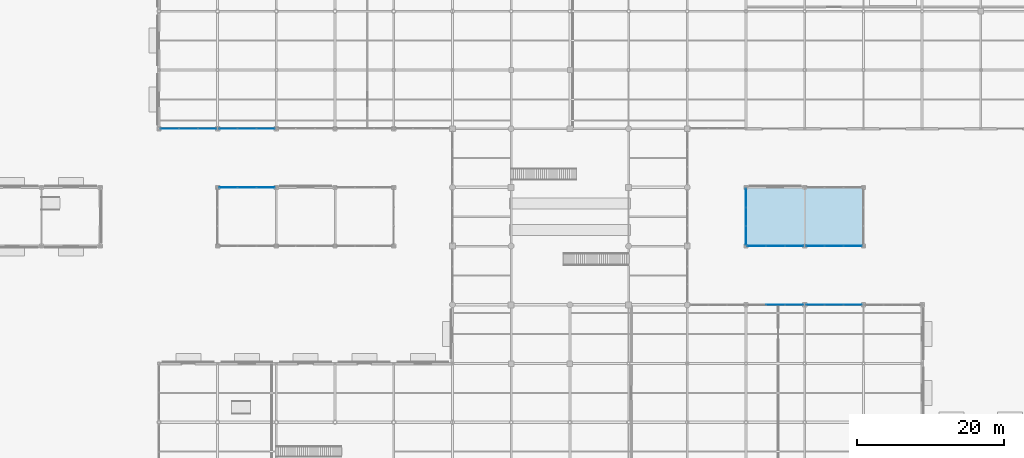
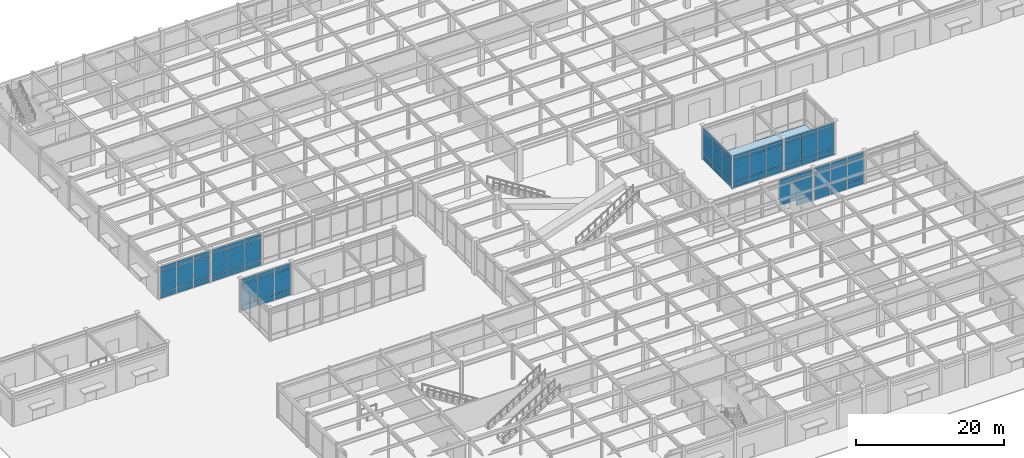
# One storey, part 96 of 128: 68 plates, 1 slab, 8 elements without a shape of their own.
"""IFC4 building model written with IfcOpenShell, lengths in metres."""

from ifc_helpers import new_model, si_unit, direction, frame, origin, origin_2d, place, context, subcontext, project, spatial, polyline, rectangle, outline, extrude, material, layer, layer_set, type_object, element, aggregate, save


model = new_model("IFC4")

# Units and contexts
model_context = context("Model", 3, precision=1e-05, world=origin(), true_north=direction((0.0, 1.0)))
body_context = subcontext(model_context, "Body", "Model", "MODEL_VIEW")
ifc_project = project(units=[si_unit("LENGTHUNIT", "METRE"), si_unit("AREAUNIT", "SQUARE_METRE"), si_unit("VOLUMEUNIT", "CUBIC_METRE"), si_unit("PLANEANGLEUNIT", "RADIAN"), si_unit("MASSUNIT", "GRAM", prefix="KILO")], contexts=[model_context])

# Site, building, storey
site_placement = place(None, origin())
site = spatial("IfcSite", under=ifc_project, at=site_placement, CompositionType="ELEMENT")
building_placement = place(site_placement, origin())
building = spatial("IfcBuilding", under=site, at=building_placement, Name="Solmirada Galleria", CompositionType="ELEMENT")
storey_placement = place(building_placement, origin())
storey = spatial("IfcBuildingStorey", under=building, at=storey_placement, Name="L00", CompositionType="ELEMENT", Elevation=0.0)

# Curtain wall, plates
ifc_material_1 = material(Name="Impact-resistant low-E double glazing", Category="glass")
curtain_wall_type_1 = type_object("IfcCurtainWallType", Name="CW-FZ4-L00-B3-L077", PredefinedType="NOTDEFINED", material=ifc_material_1)
curtain_wall_1_placement = place(storey_placement, origin())
curtain_wall_1 = element("IfcCurtainWall", 1, at=curtain_wall_1_placement, inside=storey, type_object=curtain_wall_type_1, Name="Terrace and arcade storefront CW-L00-007", PredefinedType="NOTDEFINED")
ifc_layer_1 = layer(ifc_material_1, 0.02392578125)
ifc_layer_set_1 = layer_set([ifc_layer_1], Name="Impact-resistant low-E double glazing")
plate_type_1 = type_object("IfcPlateType", Name="CW-PNL-CW03-T24", PredefinedType="CURTAIN_PANEL", material=ifc_layer_set_1)
plate_1_placement = place(storey_placement, frame((54.563232421875, 72.0, 0.06494140625), z_axis=(0.0, 0.0, 1.0), x_axis=(-1.0, 0.0, 0.0)))
plate_1 = element("IfcPlate", 2, at=plate_1_placement, type_object=plate_type_1, Name="CW03 panel 1.1", PredefinedType="CURTAIN_PANEL", context=body_context, shape_type="SweptSolid", body=[
    extrude(rectangle(XDim=2.4755859375, YDim=0.02392578125, at=origin_2d()), origin(), (0.0, 0.0, 1.0), 0.842529296875),
])
plate_2_placement = place(storey_placement, frame((54.563232421875, 72.0, 0.97265625), z_axis=(0.0, 0.0, 1.0), x_axis=(-1.0, 0.0, 0.0)))
plate_2 = element("IfcPlate", 3, at=plate_2_placement, type_object=plate_type_1, Name="CW03 panel 1.2", PredefinedType="CURTAIN_PANEL", context=body_context, shape_type="SweptSolid", body=[
    extrude(rectangle(XDim=2.4755859375, YDim=0.02392578125, at=origin_2d()), origin(), (0.0, 0.0, 1.0), 3.5048828125),
])
plate_3_placement = place(storey_placement, frame((54.563232421875, 72.0, 4.54248046875), z_axis=(0.0, 0.0, 1.0), x_axis=(-1.0, 0.0, 0.0)))
plate_3 = element("IfcPlate", 4, at=plate_3_placement, type_object=plate_type_1, Name="CW03 panel 1.3", PredefinedType="CURTAIN_PANEL", context=body_context, shape_type="SweptSolid", body=[
    extrude(rectangle(XDim=2.4755859375, YDim=0.02392578125, at=origin_2d()), origin(), (0.0, 0.0, 1.0), 0.71240234375),
])
plate_4_placement = place(storey_placement, frame((52.0, 72.0, 0.06494140625), z_axis=(0.0, 0.0, 1.0), x_axis=(-1.0, 0.0, 0.0)))
plate_4 = element("IfcPlate", 5, at=plate_4_placement, type_object=plate_type_1, Name="CW03 panel 2.1", PredefinedType="CURTAIN_PANEL", context=body_context, shape_type="SweptSolid", body=[
    extrude(rectangle(XDim=2.5107421875, YDim=0.02392578125, at=origin_2d()), origin(), (0.0, 0.0, 1.0), 0.842529296875),
])
plate_5_placement = place(storey_placement, frame((52.0, 72.0, 0.97265625), z_axis=(0.0, 0.0, 1.0), x_axis=(-1.0, 0.0, 0.0)))
plate_5 = element("IfcPlate", 6, at=plate_5_placement, type_object=plate_type_1, Name="CW03 panel 2.2", PredefinedType="CURTAIN_PANEL", context=body_context, shape_type="SweptSolid", body=[
    extrude(rectangle(XDim=2.5107421875, YDim=0.02392578125, at=origin_2d()), origin(), (0.0, 0.0, 1.0), 3.5048828125),
])
plate_6_placement = place(storey_placement, frame((52.0, 72.0, 4.54248046875), z_axis=(0.0, 0.0, 1.0), x_axis=(-1.0, 0.0, 0.0)))
plate_6 = element("IfcPlate", 7, at=plate_6_placement, type_object=plate_type_1, Name="CW03 panel 2.3", PredefinedType="CURTAIN_PANEL", context=body_context, shape_type="SweptSolid", body=[
    extrude(rectangle(XDim=2.5107421875, YDim=0.02392578125, at=origin_2d()), origin(), (0.0, 0.0, 1.0), 0.71240234375),
])
plate_7_placement = place(storey_placement, frame((49.436767578125, 72.0, 0.06494140625), z_axis=(0.0, 0.0, 1.0), x_axis=(-1.0, 0.0, 0.0)))
plate_7 = element("IfcPlate", 8, at=plate_7_placement, type_object=plate_type_1, Name="CW03 panel 3.1", PredefinedType="CURTAIN_PANEL", context=body_context, shape_type="SweptSolid", body=[
    extrude(rectangle(XDim=2.4755859375, YDim=0.02392578125, at=origin_2d()), origin(), (0.0, 0.0, 1.0), 0.842529296875),
])
plate_8_placement = place(storey_placement, frame((49.436767578125, 72.0, 0.97265625), z_axis=(0.0, 0.0, 1.0), x_axis=(-1.0, 0.0, 0.0)))
plate_8 = element("IfcPlate", 9, at=plate_8_placement, type_object=plate_type_1, Name="CW03 panel 3.2", PredefinedType="CURTAIN_PANEL", context=body_context, shape_type="SweptSolid", body=[
    extrude(rectangle(XDim=2.4755859375, YDim=0.02392578125, at=origin_2d()), origin(), (0.0, 0.0, 1.0), 3.5048828125),
])
plate_9_placement = place(storey_placement, frame((49.436767578125, 72.0, 4.54248046875), z_axis=(0.0, 0.0, 1.0), x_axis=(-1.0, 0.0, 0.0)))
plate_9 = element("IfcPlate", 10, at=plate_9_placement, type_object=plate_type_1, Name="CW03 panel 3.3", PredefinedType="CURTAIN_PANEL", context=body_context, shape_type="SweptSolid", body=[
    extrude(rectangle(XDim=2.4755859375, YDim=0.02392578125, at=origin_2d()), origin(), (0.0, 0.0, 1.0), 0.71240234375),
])
aggregate(curtain_wall_1, [plate_1, plate_2, plate_3, plate_4, plate_5, plate_6, plate_7, plate_8, plate_9])

curtain_wall_2_placement = place(storey_placement, origin())
curtain_wall_2 = element("IfcCurtainWall", 11, at=curtain_wall_2_placement, inside=storey, type_object=curtain_wall_type_1, Name="Terrace and arcade storefront CW-L00-008", PredefinedType="NOTDEFINED")
plate_10_placement = place(storey_placement, frame((46.5673828125, 72.0, 0.06494140625), z_axis=(0.0, 0.0, 1.0), x_axis=(-1.0, 0.0, 0.0)))
plate_10 = element("IfcPlate", 12, at=plate_10_placement, type_object=plate_type_1, Name="CW03 panel 1.1", PredefinedType="CURTAIN_PANEL", context=body_context, shape_type="SweptSolid", body=[
    extrude(rectangle(XDim=2.46728515625, YDim=0.02392578125, at=origin_2d()), origin(), (0.0, 0.0, 1.0), 0.842529296875),
])
plate_11_placement = place(storey_placement, frame((46.5673828125, 72.0, 0.97265625), z_axis=(0.0, 0.0, 1.0), x_axis=(-1.0, 0.0, 0.0)))
plate_11 = element("IfcPlate", 13, at=plate_11_placement, type_object=plate_type_1, Name="CW03 panel 1.2", PredefinedType="CURTAIN_PANEL", context=body_context, shape_type="SweptSolid", body=[
    extrude(rectangle(XDim=2.46728515625, YDim=0.02392578125, at=origin_2d()), origin(), (0.0, 0.0, 1.0), 3.5048828125),
])
plate_12_placement = place(storey_placement, frame((46.5673828125, 72.0, 4.54248046875), z_axis=(0.0, 0.0, 1.0), x_axis=(-1.0, 0.0, 0.0)))
plate_12 = element("IfcPlate", 14, at=plate_12_placement, type_object=plate_type_1, Name="CW03 panel 1.3", PredefinedType="CURTAIN_PANEL", context=body_context, shape_type="SweptSolid", body=[
    extrude(rectangle(XDim=2.46728515625, YDim=0.02392578125, at=origin_2d()), origin(), (0.0, 0.0, 1.0), 0.71240234375),
])
plate_13_placement = place(storey_placement, frame((44.0126953125, 72.0, 0.06494140625), z_axis=(0.0, 0.0, 1.0), x_axis=(-1.0, 0.0, 0.0)))
plate_13 = element("IfcPlate", 15, at=plate_13_placement, type_object=plate_type_1, Name="CW03 panel 2.1", PredefinedType="CURTAIN_PANEL", context=body_context, shape_type="SweptSolid", body=[
    extrude(rectangle(XDim=2.502197265625, YDim=0.02392578125, at=origin_2d()), origin(), (0.0, 0.0, 1.0), 0.842529296875),
])
plate_14_placement = place(storey_placement, frame((44.0126953125, 72.0, 0.97265625), z_axis=(0.0, 0.0, 1.0), x_axis=(-1.0, 0.0, 0.0)))
plate_14 = element("IfcPlate", 16, at=plate_14_placement, type_object=plate_type_1, Name="CW03 panel 2.2", PredefinedType="CURTAIN_PANEL", context=body_context, shape_type="SweptSolid", body=[
    extrude(rectangle(XDim=2.502197265625, YDim=0.02392578125, at=origin_2d()), origin(), (0.0, 0.0, 1.0), 3.5048828125),
])
plate_15_placement = place(storey_placement, frame((44.0126953125, 72.0, 4.54248046875), z_axis=(0.0, 0.0, 1.0), x_axis=(-1.0, 0.0, 0.0)))
plate_15 = element("IfcPlate", 17, at=plate_15_placement, type_object=plate_type_1, Name="CW03 panel 2.3", PredefinedType="CURTAIN_PANEL", context=body_context, shape_type="SweptSolid", body=[
    extrude(rectangle(XDim=2.502197265625, YDim=0.02392578125, at=origin_2d()), origin(), (0.0, 0.0, 1.0), 0.71240234375),
])
plate_16_placement = place(storey_placement, frame((41.4580078125, 72.0, 0.06494140625), z_axis=(0.0, 0.0, 1.0), x_axis=(-1.0, 0.0, 0.0)))
plate_16 = element("IfcPlate", 18, at=plate_16_placement, type_object=plate_type_1, Name="CW03 panel 3.1", PredefinedType="CURTAIN_PANEL", context=body_context, shape_type="SweptSolid", body=[
    extrude(rectangle(XDim=2.46728515625, YDim=0.02392578125, at=origin_2d()), origin(), (0.0, 0.0, 1.0), 0.842529296875),
])
plate_17_placement = place(storey_placement, frame((41.4580078125, 72.0, 0.97265625), z_axis=(0.0, 0.0, 1.0), x_axis=(-1.0, 0.0, 0.0)))
plate_17 = element("IfcPlate", 19, at=plate_17_placement, type_object=plate_type_1, Name="CW03 panel 3.2", PredefinedType="CURTAIN_PANEL", context=body_context, shape_type="SweptSolid", body=[
    extrude(rectangle(XDim=2.46728515625, YDim=0.02392578125, at=origin_2d()), origin(), (0.0, 0.0, 1.0), 3.5048828125),
])
plate_18_placement = place(storey_placement, frame((41.4580078125, 72.0, 4.54248046875), z_axis=(0.0, 0.0, 1.0), x_axis=(-1.0, 0.0, 0.0)))
plate_18 = element("IfcPlate", 20, at=plate_18_placement, type_object=plate_type_1, Name="CW03 panel 3.3", PredefinedType="CURTAIN_PANEL", context=body_context, shape_type="SweptSolid", body=[
    extrude(rectangle(XDim=2.46728515625, YDim=0.02392578125, at=origin_2d()), origin(), (0.0, 0.0, 1.0), 0.71240234375),
])
aggregate(curtain_wall_2, [plate_10, plate_11, plate_12, plate_13, plate_14, plate_15, plate_16, plate_17, plate_18])

curtain_wall_type_2 = type_object("IfcCurtainWallType", Name="CW-FZ5-L00-B3-L077", PredefinedType="NOTDEFINED", material=ifc_material_1)
curtain_wall_3_placement = place(storey_placement, origin())
curtain_wall_3 = element("IfcCurtainWall", 21, at=curtain_wall_3_placement, inside=storey, type_object=curtain_wall_type_2, Name="Terrace and arcade storefront CW-L00-020", PredefinedType="NOTDEFINED")
ifc_layer_2 = layer(ifc_material_1, 0.048095703125)
ifc_layer_set_2 = layer_set([ifc_layer_2], Name="Impact-resistant low-E double glazing")
plate_type_2 = type_object("IfcPlateType", Name="CW-PNL-CW08-T48", PredefinedType="CURTAIN_PANEL", material=ifc_layer_set_2)
plate_19_placement = place(storey_placement, frame((124.0, 48.0, 1.032470703125), z_axis=(0.0, 0.0, 1.0), x_axis=(1.0, 0.0, 0.0)))
plate_19 = element("IfcPlate", 22, at=plate_19_placement, type_object=plate_type_2, Name="CW08 panel 2.2", PredefinedType="CURTAIN_PANEL", context=body_context, shape_type="SweptSolid", body=[
    extrude(rectangle(XDim=2.5107421875, YDim=0.048095703125, at=origin_2d()), origin(), (0.0, 0.0, 1.0), 3.39501953125),
])
plate_20_placement = place(storey_placement, frame((124.0, 48.0, 4.49267578125), z_axis=(0.0, 0.0, 1.0), x_axis=(1.0, 0.0, 0.0)))
plate_20 = element("IfcPlate", 23, at=plate_20_placement, type_object=plate_type_2, Name="CW08 panel 2.3", PredefinedType="CURTAIN_PANEL", context=body_context, shape_type="SweptSolid", body=[
    extrude(rectangle(XDim=2.5107421875, YDim=0.048095703125, at=origin_2d()), origin(), (0.0, 0.0, 1.0), 0.762451171875),
])
plate_21_placement = place(storey_placement, frame((126.563232421875, 48.0, 0.06494140625), z_axis=(0.0, 0.0, 1.0), x_axis=(1.0, 0.0, 0.0)))
plate_21 = element("IfcPlate", 24, at=plate_21_placement, type_object=plate_type_2, Name="CW08 panel 3.1", PredefinedType="CURTAIN_PANEL", context=body_context, shape_type="SweptSolid", body=[
    extrude(rectangle(XDim=2.4755859375, YDim=0.048095703125, at=origin_2d()), origin(), (0.0, 0.0, 1.0), 0.902587890625),
])
plate_22_placement = place(storey_placement, frame((126.563232421875, 48.0, 1.032470703125), z_axis=(0.0, 0.0, 1.0), x_axis=(1.0, 0.0, 0.0)))
plate_22 = element("IfcPlate", 25, at=plate_22_placement, type_object=plate_type_2, Name="CW08 panel 3.2", PredefinedType="CURTAIN_PANEL", context=body_context, shape_type="SweptSolid", body=[
    extrude(rectangle(XDim=2.4755859375, YDim=0.048095703125, at=origin_2d()), origin(), (0.0, 0.0, 1.0), 3.39501953125),
])
plate_23_placement = place(storey_placement, frame((126.563232421875, 48.0, 4.49267578125), z_axis=(0.0, 0.0, 1.0), x_axis=(1.0, 0.0, 0.0)))
plate_23 = element("IfcPlate", 26, at=plate_23_placement, type_object=plate_type_2, Name="CW08 panel 3.3", PredefinedType="CURTAIN_PANEL", context=body_context, shape_type="SweptSolid", body=[
    extrude(rectangle(XDim=2.4755859375, YDim=0.048095703125, at=origin_2d()), origin(), (0.0, 0.0, 1.0), 0.762451171875),
])
aggregate(curtain_wall_3, [plate_19, plate_20, plate_21, plate_22, plate_23])

curtain_wall_4_placement = place(storey_placement, origin())
curtain_wall_4 = element("IfcCurtainWall", 27, at=curtain_wall_4_placement, inside=storey, type_object=curtain_wall_type_2, Name="Terrace and arcade storefront CW-L00-021", PredefinedType="NOTDEFINED")
plate_24_placement = place(storey_placement, frame((129.436767578125, 48.0, 0.06494140625), z_axis=(0.0, 0.0, 1.0), x_axis=(1.0, 0.0, 0.0)))
plate_24 = element("IfcPlate", 28, at=plate_24_placement, type_object=plate_type_2, Name="CW08 panel 1.1", PredefinedType="CURTAIN_PANEL", context=body_context, shape_type="SweptSolid", body=[
    extrude(rectangle(XDim=2.4755859375, YDim=0.048095703125, at=origin_2d()), origin(), (0.0, 0.0, 1.0), 0.902587890625),
])
plate_25_placement = place(storey_placement, frame((129.436767578125, 48.0, 1.032470703125), z_axis=(0.0, 0.0, 1.0), x_axis=(1.0, 0.0, 0.0)))
plate_25 = element("IfcPlate", 29, at=plate_25_placement, type_object=plate_type_2, Name="CW08 panel 1.2", PredefinedType="CURTAIN_PANEL", context=body_context, shape_type="SweptSolid", body=[
    extrude(rectangle(XDim=2.4755859375, YDim=0.048095703125, at=origin_2d()), origin(), (0.0, 0.0, 1.0), 3.39501953125),
])
plate_26_placement = place(storey_placement, frame((129.436767578125, 48.0, 4.49267578125), z_axis=(0.0, 0.0, 1.0), x_axis=(1.0, 0.0, 0.0)))
plate_26 = element("IfcPlate", 30, at=plate_26_placement, type_object=plate_type_2, Name="CW08 panel 1.3", PredefinedType="CURTAIN_PANEL", context=body_context, shape_type="SweptSolid", body=[
    extrude(rectangle(XDim=2.4755859375, YDim=0.048095703125, at=origin_2d()), origin(), (0.0, 0.0, 1.0), 0.762451171875),
])
plate_27_placement = place(storey_placement, frame((132.0, 48.0, 0.06494140625), z_axis=(0.0, 0.0, 1.0), x_axis=(1.0, 0.0, 0.0)))
plate_27 = element("IfcPlate", 31, at=plate_27_placement, type_object=plate_type_2, Name="CW08 panel 2.1", PredefinedType="CURTAIN_PANEL", context=body_context, shape_type="SweptSolid", body=[
    extrude(rectangle(XDim=2.5107421875, YDim=0.048095703125, at=origin_2d()), origin(), (0.0, 0.0, 1.0), 0.902587890625),
])
plate_28_placement = place(storey_placement, frame((132.0, 48.0, 1.032470703125), z_axis=(0.0, 0.0, 1.0), x_axis=(1.0, 0.0, 0.0)))
plate_28 = element("IfcPlate", 32, at=plate_28_placement, type_object=plate_type_2, Name="CW08 panel 2.2", PredefinedType="CURTAIN_PANEL", context=body_context, shape_type="SweptSolid", body=[
    extrude(rectangle(XDim=2.5107421875, YDim=0.048095703125, at=origin_2d()), origin(), (0.0, 0.0, 1.0), 3.39501953125),
])
plate_29_placement = place(storey_placement, frame((132.0, 48.0, 4.49267578125), z_axis=(0.0, 0.0, 1.0), x_axis=(1.0, 0.0, 0.0)))
plate_29 = element("IfcPlate", 33, at=plate_29_placement, type_object=plate_type_2, Name="CW08 panel 2.3", PredefinedType="CURTAIN_PANEL", context=body_context, shape_type="SweptSolid", body=[
    extrude(rectangle(XDim=2.5107421875, YDim=0.048095703125, at=origin_2d()), origin(), (0.0, 0.0, 1.0), 0.762451171875),
])
plate_30_placement = place(storey_placement, frame((134.563232421875, 48.0, 0.06494140625), z_axis=(0.0, 0.0, 1.0), x_axis=(1.0, 0.0, 0.0)))
plate_30 = element("IfcPlate", 34, at=plate_30_placement, type_object=plate_type_2, Name="CW08 panel 3.1", PredefinedType="CURTAIN_PANEL", context=body_context, shape_type="SweptSolid", body=[
    extrude(rectangle(XDim=2.4755859375, YDim=0.048095703125, at=origin_2d()), origin(), (0.0, 0.0, 1.0), 0.902587890625),
])
plate_31_placement = place(storey_placement, frame((134.563232421875, 48.0, 1.032470703125), z_axis=(0.0, 0.0, 1.0), x_axis=(1.0, 0.0, 0.0)))
plate_31 = element("IfcPlate", 35, at=plate_31_placement, type_object=plate_type_2, Name="CW08 panel 3.2", PredefinedType="CURTAIN_PANEL", context=body_context, shape_type="SweptSolid", body=[
    extrude(rectangle(XDim=2.4755859375, YDim=0.048095703125, at=origin_2d()), origin(), (0.0, 0.0, 1.0), 3.39501953125),
])
plate_32_placement = place(storey_placement, frame((134.563232421875, 48.0, 4.49267578125), z_axis=(0.0, 0.0, 1.0), x_axis=(1.0, 0.0, 0.0)))
plate_32 = element("IfcPlate", 36, at=plate_32_placement, type_object=plate_type_2, Name="CW08 panel 3.3", PredefinedType="CURTAIN_PANEL", context=body_context, shape_type="SweptSolid", body=[
    extrude(rectangle(XDim=2.4755859375, YDim=0.048095703125, at=origin_2d()), origin(), (0.0, 0.0, 1.0), 0.762451171875),
])
aggregate(curtain_wall_4, [plate_24, plate_25, plate_26, plate_27, plate_28, plate_29, plate_30, plate_31, plate_32])

curtain_wall_5_placement = place(storey_placement, origin())
curtain_wall_5 = element("IfcCurtainWall", 37, at=curtain_wall_5_placement, inside=storey, type_object=curtain_wall_type_2, Name="Terrace and arcade storefront CW-L00-036", PredefinedType="NOTDEFINED")
plate_33_placement = place(storey_placement, frame((49.436767578125, 64.0, 0.06494140625), z_axis=(0.0, 0.0, 1.0), x_axis=(1.0, 0.0, 0.0)))
plate_33 = element("IfcPlate", 38, at=plate_33_placement, type_object=plate_type_2, Name="CW08 panel 1.1", PredefinedType="CURTAIN_PANEL", context=body_context, shape_type="SweptSolid", body=[
    extrude(rectangle(XDim=2.4755859375, YDim=0.048095703125, at=origin_2d()), origin(), (0.0, 0.0, 1.0), 0.902587890625),
])
plate_34_placement = place(storey_placement, frame((49.436767578125, 64.0, 1.032470703125), z_axis=(0.0, 0.0, 1.0), x_axis=(1.0, 0.0, 0.0)))
plate_34 = element("IfcPlate", 39, at=plate_34_placement, type_object=plate_type_2, Name="CW08 panel 1.2", PredefinedType="CURTAIN_PANEL", context=body_context, shape_type="SweptSolid", body=[
    extrude(rectangle(XDim=2.4755859375, YDim=0.048095703125, at=origin_2d()), origin(), (0.0, 0.0, 1.0), 3.39501953125),
])
plate_35_placement = place(storey_placement, frame((49.436767578125, 64.0, 4.49267578125), z_axis=(0.0, 0.0, 1.0), x_axis=(1.0, 0.0, 0.0)))
plate_35 = element("IfcPlate", 40, at=plate_35_placement, type_object=plate_type_2, Name="CW08 panel 1.3", PredefinedType="CURTAIN_PANEL", context=body_context, shape_type="SweptSolid", body=[
    extrude(rectangle(XDim=2.4755859375, YDim=0.048095703125, at=origin_2d()), origin(), (0.0, 0.0, 1.0), 0.762451171875),
])
plate_36_placement = place(storey_placement, frame((52.0, 64.0, 0.06494140625), z_axis=(0.0, 0.0, 1.0), x_axis=(1.0, 0.0, 0.0)))
plate_36 = element("IfcPlate", 41, at=plate_36_placement, type_object=plate_type_2, Name="CW08 panel 2.1", PredefinedType="CURTAIN_PANEL", context=body_context, shape_type="SweptSolid", body=[
    extrude(rectangle(XDim=2.5107421875, YDim=0.048095703125, at=origin_2d()), origin(), (0.0, 0.0, 1.0), 0.902587890625),
])
plate_37_placement = place(storey_placement, frame((52.0, 64.0, 1.032470703125), z_axis=(0.0, 0.0, 1.0), x_axis=(1.0, 0.0, 0.0)))
plate_37 = element("IfcPlate", 42, at=plate_37_placement, type_object=plate_type_2, Name="CW08 panel 2.2", PredefinedType="CURTAIN_PANEL", context=body_context, shape_type="SweptSolid", body=[
    extrude(rectangle(XDim=2.5107421875, YDim=0.048095703125, at=origin_2d()), origin(), (0.0, 0.0, 1.0), 3.39501953125),
])
plate_38_placement = place(storey_placement, frame((52.0, 64.0, 4.49267578125), z_axis=(0.0, 0.0, 1.0), x_axis=(1.0, 0.0, 0.0)))
plate_38 = element("IfcPlate", 43, at=plate_38_placement, type_object=plate_type_2, Name="CW08 panel 2.3", PredefinedType="CURTAIN_PANEL", context=body_context, shape_type="SweptSolid", body=[
    extrude(rectangle(XDim=2.5107421875, YDim=0.048095703125, at=origin_2d()), origin(), (0.0, 0.0, 1.0), 0.762451171875),
])
plate_39_placement = place(storey_placement, frame((54.563232421875, 64.0, 0.06494140625), z_axis=(0.0, 0.0, 1.0), x_axis=(1.0, 0.0, 0.0)))
plate_39 = element("IfcPlate", 44, at=plate_39_placement, type_object=plate_type_2, Name="CW08 panel 3.1", PredefinedType="CURTAIN_PANEL", context=body_context, shape_type="SweptSolid", body=[
    extrude(rectangle(XDim=2.4755859375, YDim=0.048095703125, at=origin_2d()), origin(), (0.0, 0.0, 1.0), 0.902587890625),
])
plate_40_placement = place(storey_placement, frame((54.563232421875, 64.0, 1.032470703125), z_axis=(0.0, 0.0, 1.0), x_axis=(1.0, 0.0, 0.0)))
plate_40 = element("IfcPlate", 45, at=plate_40_placement, type_object=plate_type_2, Name="CW08 panel 3.2", PredefinedType="CURTAIN_PANEL", context=body_context, shape_type="SweptSolid", body=[
    extrude(rectangle(XDim=2.4755859375, YDim=0.048095703125, at=origin_2d()), origin(), (0.0, 0.0, 1.0), 3.39501953125),
])
plate_41_placement = place(storey_placement, frame((54.563232421875, 64.0, 4.49267578125), z_axis=(0.0, 0.0, 1.0), x_axis=(1.0, 0.0, 0.0)))
plate_41 = element("IfcPlate", 46, at=plate_41_placement, type_object=plate_type_2, Name="CW08 panel 3.3", PredefinedType="CURTAIN_PANEL", context=body_context, shape_type="SweptSolid", body=[
    extrude(rectangle(XDim=2.4755859375, YDim=0.048095703125, at=origin_2d()), origin(), (0.0, 0.0, 1.0), 0.762451171875),
])
aggregate(curtain_wall_5, [plate_33, plate_34, plate_35, plate_36, plate_37, plate_38, plate_39, plate_40, plate_41])

curtain_wall_6_placement = place(storey_placement, origin())
curtain_wall_6 = element("IfcCurtainWall", 47, at=curtain_wall_6_placement, inside=storey, type_object=curtain_wall_type_2, Name="Terrace and arcade storefront CW-L00-038", PredefinedType="NOTDEFINED")
plate_42_placement = place(storey_placement, frame((134.563232421875, 56.0, 0.06494140625), z_axis=(0.0, 0.0, 1.0), x_axis=(-1.0, 0.0, 0.0)))
plate_42 = element("IfcPlate", 48, at=plate_42_placement, type_object=plate_type_2, Name="CW08 panel 1.1", PredefinedType="CURTAIN_PANEL", context=body_context, shape_type="SweptSolid", body=[
    extrude(rectangle(XDim=2.4755859375, YDim=0.048095703125, at=origin_2d()), origin(), (0.0, 0.0, 1.0), 0.902587890625),
])
plate_43_placement = place(storey_placement, frame((134.563232421875, 56.0, 1.032470703125), z_axis=(0.0, 0.0, 1.0), x_axis=(-1.0, 0.0, 0.0)))
plate_43 = element("IfcPlate", 49, at=plate_43_placement, type_object=plate_type_2, Name="CW08 panel 1.2", PredefinedType="CURTAIN_PANEL", context=body_context, shape_type="SweptSolid", body=[
    extrude(rectangle(XDim=2.4755859375, YDim=0.048095703125, at=origin_2d()), origin(), (0.0, 0.0, 1.0), 3.39501953125),
])
plate_44_placement = place(storey_placement, frame((134.563232421875, 56.0, 4.49267578125), z_axis=(0.0, 0.0, 1.0), x_axis=(-1.0, 0.0, 0.0)))
plate_44 = element("IfcPlate", 50, at=plate_44_placement, type_object=plate_type_2, Name="CW08 panel 1.3", PredefinedType="CURTAIN_PANEL", context=body_context, shape_type="SweptSolid", body=[
    extrude(rectangle(XDim=2.4755859375, YDim=0.048095703125, at=origin_2d()), origin(), (0.0, 0.0, 1.0), 0.762451171875),
])
plate_45_placement = place(storey_placement, frame((132.0, 56.0, 0.06494140625), z_axis=(0.0, 0.0, 1.0), x_axis=(-1.0, 0.0, 0.0)))
plate_45 = element("IfcPlate", 51, at=plate_45_placement, type_object=plate_type_2, Name="CW08 panel 2.1", PredefinedType="CURTAIN_PANEL", context=body_context, shape_type="SweptSolid", body=[
    extrude(rectangle(XDim=2.5107421875, YDim=0.048095703125, at=origin_2d()), origin(), (0.0, 0.0, 1.0), 0.902587890625),
])
plate_46_placement = place(storey_placement, frame((132.0, 56.0, 1.032470703125), z_axis=(0.0, 0.0, 1.0), x_axis=(-1.0, 0.0, 0.0)))
plate_46 = element("IfcPlate", 52, at=plate_46_placement, type_object=plate_type_2, Name="CW08 panel 2.2", PredefinedType="CURTAIN_PANEL", context=body_context, shape_type="SweptSolid", body=[
    extrude(rectangle(XDim=2.5107421875, YDim=0.048095703125, at=origin_2d()), origin(), (0.0, 0.0, 1.0), 3.39501953125),
])
plate_47_placement = place(storey_placement, frame((132.0, 56.0, 4.49267578125), z_axis=(0.0, 0.0, 1.0), x_axis=(-1.0, 0.0, 0.0)))
plate_47 = element("IfcPlate", 53, at=plate_47_placement, type_object=plate_type_2, Name="CW08 panel 2.3", PredefinedType="CURTAIN_PANEL", context=body_context, shape_type="SweptSolid", body=[
    extrude(rectangle(XDim=2.5107421875, YDim=0.048095703125, at=origin_2d()), origin(), (0.0, 0.0, 1.0), 0.762451171875),
])
plate_48_placement = place(storey_placement, frame((129.436767578125, 56.0, 0.06494140625), z_axis=(0.0, 0.0, 1.0), x_axis=(-1.0, 0.0, 0.0)))
plate_48 = element("IfcPlate", 54, at=plate_48_placement, type_object=plate_type_2, Name="CW08 panel 3.1", PredefinedType="CURTAIN_PANEL", context=body_context, shape_type="SweptSolid", body=[
    extrude(rectangle(XDim=2.4755859375, YDim=0.048095703125, at=origin_2d()), origin(), (0.0, 0.0, 1.0), 0.902587890625),
])
plate_49_placement = place(storey_placement, frame((129.436767578125, 56.0, 1.032470703125), z_axis=(0.0, 0.0, 1.0), x_axis=(-1.0, 0.0, 0.0)))
plate_49 = element("IfcPlate", 55, at=plate_49_placement, type_object=plate_type_2, Name="CW08 panel 3.2", PredefinedType="CURTAIN_PANEL", context=body_context, shape_type="SweptSolid", body=[
    extrude(rectangle(XDim=2.4755859375, YDim=0.048095703125, at=origin_2d()), origin(), (0.0, 0.0, 1.0), 3.39501953125),
])
plate_50_placement = place(storey_placement, frame((129.436767578125, 56.0, 4.49267578125), z_axis=(0.0, 0.0, 1.0), x_axis=(-1.0, 0.0, 0.0)))
plate_50 = element("IfcPlate", 56, at=plate_50_placement, type_object=plate_type_2, Name="CW08 panel 3.3", PredefinedType="CURTAIN_PANEL", context=body_context, shape_type="SweptSolid", body=[
    extrude(rectangle(XDim=2.4755859375, YDim=0.048095703125, at=origin_2d()), origin(), (0.0, 0.0, 1.0), 0.762451171875),
])
aggregate(curtain_wall_6, [plate_42, plate_43, plate_44, plate_45, plate_46, plate_47, plate_48, plate_49, plate_50])

curtain_wall_7_placement = place(storey_placement, origin())
curtain_wall_7 = element("IfcCurtainWall", 57, at=curtain_wall_7_placement, inside=storey, type_object=curtain_wall_type_2, Name="Terrace and arcade storefront CW-L00-039", PredefinedType="NOTDEFINED")
plate_51_placement = place(storey_placement, frame((126.563232421875, 56.0, 0.06494140625), z_axis=(0.0, 0.0, 1.0), x_axis=(-1.0, 0.0, 0.0)))
plate_51 = element("IfcPlate", 58, at=plate_51_placement, type_object=plate_type_2, Name="CW08 panel 1.1", PredefinedType="CURTAIN_PANEL", context=body_context, shape_type="SweptSolid", body=[
    extrude(rectangle(XDim=2.4755859375, YDim=0.048095703125, at=origin_2d()), origin(), (0.0, 0.0, 1.0), 0.902587890625),
])
plate_52_placement = place(storey_placement, frame((126.563232421875, 56.0, 1.032470703125), z_axis=(0.0, 0.0, 1.0), x_axis=(-1.0, 0.0, 0.0)))
plate_52 = element("IfcPlate", 59, at=plate_52_placement, type_object=plate_type_2, Name="CW08 panel 1.2", PredefinedType="CURTAIN_PANEL", context=body_context, shape_type="SweptSolid", body=[
    extrude(rectangle(XDim=2.4755859375, YDim=0.048095703125, at=origin_2d()), origin(), (0.0, 0.0, 1.0), 3.39501953125),
])
plate_53_placement = place(storey_placement, frame((126.563232421875, 56.0, 4.49267578125), z_axis=(0.0, 0.0, 1.0), x_axis=(-1.0, 0.0, 0.0)))
plate_53 = element("IfcPlate", 60, at=plate_53_placement, type_object=plate_type_2, Name="CW08 panel 1.3", PredefinedType="CURTAIN_PANEL", context=body_context, shape_type="SweptSolid", body=[
    extrude(rectangle(XDim=2.4755859375, YDim=0.048095703125, at=origin_2d()), origin(), (0.0, 0.0, 1.0), 0.762451171875),
])
plate_54_placement = place(storey_placement, frame((124.0, 56.0, 0.06494140625), z_axis=(0.0, 0.0, 1.0), x_axis=(-1.0, 0.0, 0.0)))
plate_54 = element("IfcPlate", 61, at=plate_54_placement, type_object=plate_type_2, Name="CW08 panel 2.1", PredefinedType="CURTAIN_PANEL", context=body_context, shape_type="SweptSolid", body=[
    extrude(rectangle(XDim=2.5107421875, YDim=0.048095703125, at=origin_2d()), origin(), (0.0, 0.0, 1.0), 0.902587890625),
])
plate_55_placement = place(storey_placement, frame((124.0, 56.0, 1.032470703125), z_axis=(0.0, 0.0, 1.0), x_axis=(-1.0, 0.0, 0.0)))
plate_55 = element("IfcPlate", 62, at=plate_55_placement, type_object=plate_type_2, Name="CW08 panel 2.2", PredefinedType="CURTAIN_PANEL", context=body_context, shape_type="SweptSolid", body=[
    extrude(rectangle(XDim=2.5107421875, YDim=0.048095703125, at=origin_2d()), origin(), (0.0, 0.0, 1.0), 3.39501953125),
])
plate_56_placement = place(storey_placement, frame((124.0, 56.0, 4.49267578125), z_axis=(0.0, 0.0, 1.0), x_axis=(-1.0, 0.0, 0.0)))
plate_56 = element("IfcPlate", 63, at=plate_56_placement, type_object=plate_type_2, Name="CW08 panel 2.3", PredefinedType="CURTAIN_PANEL", context=body_context, shape_type="SweptSolid", body=[
    extrude(rectangle(XDim=2.5107421875, YDim=0.048095703125, at=origin_2d()), origin(), (0.0, 0.0, 1.0), 0.762451171875),
])
plate_57_placement = place(storey_placement, frame((121.436767578125, 56.0, 0.06494140625), z_axis=(0.0, 0.0, 1.0), x_axis=(-1.0, 0.0, 0.0)))
plate_57 = element("IfcPlate", 64, at=plate_57_placement, type_object=plate_type_2, Name="CW08 panel 3.1", PredefinedType="CURTAIN_PANEL", context=body_context, shape_type="SweptSolid", body=[
    extrude(rectangle(XDim=2.4755859375, YDim=0.048095703125, at=origin_2d()), origin(), (0.0, 0.0, 1.0), 0.902587890625),
])
plate_58_placement = place(storey_placement, frame((121.436767578125, 56.0, 1.032470703125), z_axis=(0.0, 0.0, 1.0), x_axis=(-1.0, 0.0, 0.0)))
plate_58 = element("IfcPlate", 65, at=plate_58_placement, type_object=plate_type_2, Name="CW08 panel 3.2", PredefinedType="CURTAIN_PANEL", context=body_context, shape_type="SweptSolid", body=[
    extrude(rectangle(XDim=2.4755859375, YDim=0.048095703125, at=origin_2d()), origin(), (0.0, 0.0, 1.0), 3.39501953125),
])
plate_59_placement = place(storey_placement, frame((121.436767578125, 56.0, 4.49267578125), z_axis=(0.0, 0.0, 1.0), x_axis=(-1.0, 0.0, 0.0)))
plate_59 = element("IfcPlate", 66, at=plate_59_placement, type_object=plate_type_2, Name="CW08 panel 3.3", PredefinedType="CURTAIN_PANEL", context=body_context, shape_type="SweptSolid", body=[
    extrude(rectangle(XDim=2.4755859375, YDim=0.048095703125, at=origin_2d()), origin(), (0.0, 0.0, 1.0), 0.762451171875),
])
aggregate(curtain_wall_7, [plate_51, plate_52, plate_53, plate_54, plate_55, plate_56, plate_57, plate_58, plate_59])

curtain_wall_8_placement = place(storey_placement, origin())
curtain_wall_8 = element("IfcCurtainWall", 67, at=curtain_wall_8_placement, inside=storey, type_object=curtain_wall_type_2, Name="Terrace and arcade storefront CW-L00-040", PredefinedType="NOTDEFINED")
plate_60_placement = place(storey_placement, frame((120.0, 57.436767578125, 0.06494140625), z_axis=(0.0, 0.0, 1.0), x_axis=(0.0, 1.0, 0.0)))
plate_60 = element("IfcPlate", 68, at=plate_60_placement, type_object=plate_type_2, Name="CW08 panel 1.1", PredefinedType="CURTAIN_PANEL", context=body_context, shape_type="SweptSolid", body=[
    extrude(rectangle(XDim=2.4755859375, YDim=0.048095703125, at=origin_2d()), origin(), (0.0, 0.0, 1.0), 0.902587890625),
])
plate_61_placement = place(storey_placement, frame((120.0, 57.436767578125, 1.032470703125), z_axis=(0.0, 0.0, 1.0), x_axis=(0.0, 1.0, 0.0)))
plate_61 = element("IfcPlate", 69, at=plate_61_placement, type_object=plate_type_2, Name="CW08 panel 1.2", PredefinedType="CURTAIN_PANEL", context=body_context, shape_type="SweptSolid", body=[
    extrude(rectangle(XDim=2.4755859375, YDim=0.048095703125, at=origin_2d()), origin(), (0.0, 0.0, 1.0), 3.39501953125),
])
plate_62_placement = place(storey_placement, frame((120.0, 57.436767578125, 4.49267578125), z_axis=(0.0, 0.0, 1.0), x_axis=(0.0, 1.0, 0.0)))
plate_62 = element("IfcPlate", 70, at=plate_62_placement, type_object=plate_type_2, Name="CW08 panel 1.3", PredefinedType="CURTAIN_PANEL", context=body_context, shape_type="SweptSolid", body=[
    extrude(rectangle(XDim=2.4755859375, YDim=0.048095703125, at=origin_2d()), origin(), (0.0, 0.0, 1.0), 0.762451171875),
])
plate_63_placement = place(storey_placement, frame((120.0, 60.0, 0.06494140625), z_axis=(0.0, 0.0, 1.0), x_axis=(0.0, 1.0, 0.0)))
plate_63 = element("IfcPlate", 71, at=plate_63_placement, type_object=plate_type_2, Name="CW08 panel 2.1", PredefinedType="CURTAIN_PANEL", context=body_context, shape_type="SweptSolid", body=[
    extrude(rectangle(XDim=2.5107421875, YDim=0.048095703125, at=origin_2d()), origin(), (0.0, 0.0, 1.0), 0.902587890625),
])
plate_64_placement = place(storey_placement, frame((120.0, 60.0, 1.032470703125), z_axis=(0.0, 0.0, 1.0), x_axis=(0.0, 1.0, 0.0)))
plate_64 = element("IfcPlate", 72, at=plate_64_placement, type_object=plate_type_2, Name="CW08 panel 2.2", PredefinedType="CURTAIN_PANEL", context=body_context, shape_type="SweptSolid", body=[
    extrude(rectangle(XDim=2.5107421875, YDim=0.048095703125, at=origin_2d()), origin(), (0.0, 0.0, 1.0), 3.39501953125),
])
plate_65_placement = place(storey_placement, frame((120.0, 60.0, 4.49267578125), z_axis=(0.0, 0.0, 1.0), x_axis=(0.0, 1.0, 0.0)))
plate_65 = element("IfcPlate", 73, at=plate_65_placement, type_object=plate_type_2, Name="CW08 panel 2.3", PredefinedType="CURTAIN_PANEL", context=body_context, shape_type="SweptSolid", body=[
    extrude(rectangle(XDim=2.5107421875, YDim=0.048095703125, at=origin_2d()), origin(), (0.0, 0.0, 1.0), 0.762451171875),
])
plate_66_placement = place(storey_placement, frame((120.0, 62.563232421875, 0.06494140625), z_axis=(0.0, 0.0, 1.0), x_axis=(0.0, 1.0, 0.0)))
plate_66 = element("IfcPlate", 74, at=plate_66_placement, type_object=plate_type_2, Name="CW08 panel 3.1", PredefinedType="CURTAIN_PANEL", context=body_context, shape_type="SweptSolid", body=[
    extrude(rectangle(XDim=2.4755859375, YDim=0.048095703125, at=origin_2d()), origin(), (0.0, 0.0, 1.0), 0.902587890625),
])
plate_67_placement = place(storey_placement, frame((120.0, 62.563232421875, 1.032470703125), z_axis=(0.0, 0.0, 1.0), x_axis=(0.0, 1.0, 0.0)))
plate_67 = element("IfcPlate", 75, at=plate_67_placement, type_object=plate_type_2, Name="CW08 panel 3.2", PredefinedType="CURTAIN_PANEL", context=body_context, shape_type="SweptSolid", body=[
    extrude(rectangle(XDim=2.4755859375, YDim=0.048095703125, at=origin_2d()), origin(), (0.0, 0.0, 1.0), 3.39501953125),
])
plate_68_placement = place(storey_placement, frame((120.0, 62.563232421875, 4.49267578125), z_axis=(0.0, 0.0, 1.0), x_axis=(0.0, 1.0, 0.0)))
plate_68 = element("IfcPlate", 76, at=plate_68_placement, type_object=plate_type_2, Name="CW08 panel 3.3", PredefinedType="CURTAIN_PANEL", context=body_context, shape_type="SweptSolid", body=[
    extrude(rectangle(XDim=2.4755859375, YDim=0.048095703125, at=origin_2d()), origin(), (0.0, 0.0, 1.0), 0.762451171875),
])
aggregate(curtain_wall_8, [plate_60, plate_61, plate_62, plate_63, plate_64, plate_65, plate_66, plate_67, plate_68])

# Slab
ifc_material_2 = material(Name="Concrete C35/45", Category="concrete")
ifc_layer_3 = layer(ifc_material_2, 0.219970703125)
ifc_layer_set_3 = layer_set([ifc_layer_3], Name="Concrete C35/45")
slab_type = type_object("IfcSlabType", Name="SLB-FLOOR-220", PredefinedType="FLOOR", material=ifc_layer_set_3)
slab_placement = place(storey_placement, frame((0.0, 0.0, -0.219970703125)))
element("IfcSlab", 77, at=slab_placement, inside=storey, type_object=slab_type, Name="Slab L00-BOUTIQUE-E", PredefinedType="FLOOR", context=body_context, shape_type="SweptSolid", body=[
    extrude(outline(polyline([(120.0, 56.0), (136.0, 56.0), (136.0, 64.0), (120.0, 64.0), (120.0, 56.0)])), origin(), (0.0, 0.0, 1.0), 0.219970703125),
])

save(model, "model.ifc")
